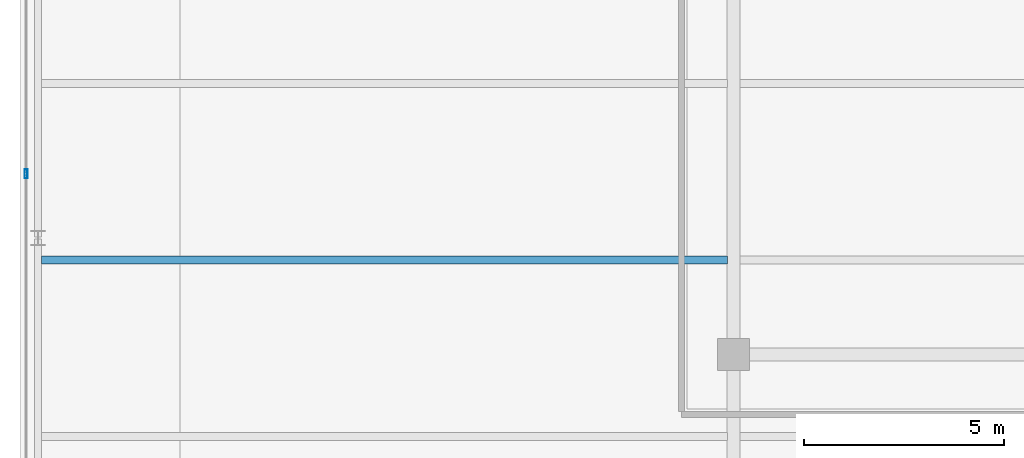
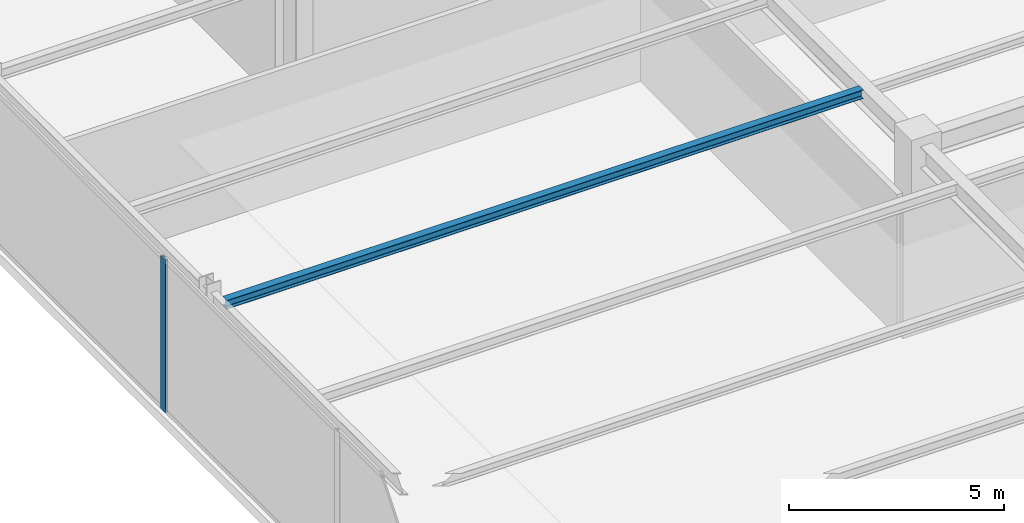
# One storey, part 10 of 25: 1 beam, 1 member, 1 element without a shape of its own.
"""IFC4 building model written with IfcOpenShell, lengths in metres."""

from ifc_helpers import new_model, si_unit, direction, frame, origin, origin_2d, place, context, subcontext, project, spatial, hollow_rectangle, i_section, extrude, source, transform, mapped, material, layer, layer_set, material_profile, profile_set, type_object, type_shapes, element, aggregate, save


model = new_model("IFC4")

# Units and contexts
model_context = context("Model", 3, precision=1e-05, world=origin(), true_north=direction((0.0, 1.0)))
body_context = subcontext(model_context, "Body", "Model", "MODEL_VIEW")
ifc_project = project(units=[si_unit("LENGTHUNIT", "METRE"), si_unit("AREAUNIT", "SQUARE_METRE"), si_unit("VOLUMEUNIT", "CUBIC_METRE"), si_unit("PLANEANGLEUNIT", "RADIAN"), si_unit("MASSUNIT", "GRAM", prefix="KILO")], contexts=[model_context])

# Site, building, storey
site_placement = place(None, origin())
site = spatial("IfcSite", under=ifc_project, at=site_placement, CompositionType="ELEMENT")
building_placement = place(site_placement, origin())
building = spatial("IfcBuilding", under=site, at=building_placement, Name="Varnel Quay Broadcast Tower", CompositionType="ELEMENT")
storey_placement = place(building_placement, frame((0.0, 0.0, 191.39990234375)))
storey = spatial("IfcBuildingStorey", under=building, at=storey_placement, Name="L47", CompositionType="ELEMENT", Elevation=191.39990234375)

# Beam
ifc_material_1 = material(Name="Structural Steel CSA G40.21 350W", Category="steel")
ifc_material_profile_1 = material_profile(ifc_material_1, i_section(OverallWidth=0.201904296875, OverallDepth=0.2470703125, WebThickness=0.00732421875, FlangeThickness=0.010986328125, FilletRadius=0.010986328125, at=origin_2d()), Name="W250X49")
ifc_profile_set_1 = profile_set([ifc_material_profile_1], Name="Structural Steel CSA G40.21 350W")
beam_type = type_object("IfcBeamType", Name="Beam_W250X49", PredefinedType="JOIST", material=ifc_profile_set_1)
shared_shape_1 = source(origin(), body_context, "Body", "SweptSolid", [
    extrude(i_section(OverallWidth=0.201904296875, OverallDepth=0.2470703125, WebThickness=0.00732421875, FlangeThickness=0.010986328125, FilletRadius=0.010986328125, at=origin_2d()), origin(), (0.0, 0.0, 1.0), 17.107177734375),
])
type_shapes(beam_type, [shared_shape_1])
beam_placement = place(storey_placement, frame((7.535400390625, 24.85009765625, 4.2265625), z_axis=(1.0, 0.0, 0.0), x_axis=(0.0, 1.0, 0.0)))
element("IfcBeam", 1, at=beam_placement, inside=storey, type_object=beam_type, Name="L47 West Floor Joist 4", PredefinedType="JOIST", context=body_context, shape_type="MappedRepresentation", body=[
    mapped(shared_shape_1, transform((0.0, 0.0, 0.0), x_axis=(1.0, 0.0, 0.0), y_axis=(0.0, 1.0, 0.0), z_axis=(0.0, 0.0, 1.0), scale=1.0)),
])

# Curtain wall, member
ifc_material_2 = material(Name="Anodised Bronze Aluminium 6063-T6", Category="aluminium")
ifc_layer = layer(ifc_material_2, 0.18994140625, Name="Anodised Bronze Aluminium 6063-T6")
ifc_layer_set = layer_set([ifc_layer], Name="Anodised Bronze Aluminium 6063-T6")
curtain_wall_type = type_object("IfcCurtainWallType", Name="CW_SkyObsHighVis", PredefinedType="NOTDEFINED", material=ifc_layer_set)
curtain_wall_placement = place(storey_placement, origin())
curtain_wall = element("IfcCurtainWall", 2, at=curtain_wall_placement, inside=storey, type_object=curtain_wall_type, Name="L47 West Unitised Curtain Wall", PredefinedType="NOTDEFINED")
ifc_material_profile_2 = material_profile(ifc_material_2, hollow_rectangle(XDim=0.074951171875, YDim=0.219970703125, WallThickness=0.00390625, at=origin_2d()), Name="ALU75X220X4")
ifc_profile_set_2 = profile_set([ifc_material_profile_2], Name="Anodised Bronze Aluminium 6063-T6")
member_type = type_object("IfcMemberType", Name="Mull_CWS-05", PredefinedType="MULLION", material=ifc_profile_set_2)
shared_shape_2 = source(origin(), body_context, "Body", "SweptSolid", [
    extrude(hollow_rectangle(XDim=0.074951171875, YDim=0.219970703125, WallThickness=0.00390625, at=origin_2d()), origin(), (0.0, 0.0, 1.0), 4.35009765625),
])
type_shapes(member_type, [shared_shape_2])
member_placement = place(storey_placement, frame((7.14990234375, 27.0, 0.0), z_axis=(0.0, 0.0, 1.0), x_axis=(-1.0, 0.0, 0.0)))
member = element("IfcMember", 3, at=member_placement, type_object=member_type, Name="CWS-05 mullion 3", PredefinedType="MULLION", context=body_context, shape_type="MappedRepresentation", body=[
    mapped(shared_shape_2, transform((0.0, 0.0, 0.0), x_axis=(1.0, 0.0, 0.0), y_axis=(0.0, 1.0, 0.0), z_axis=(0.0, 0.0, 1.0), scale=1.0)),
])
aggregate(curtain_wall, [member])

save(model, "model.ifc")
